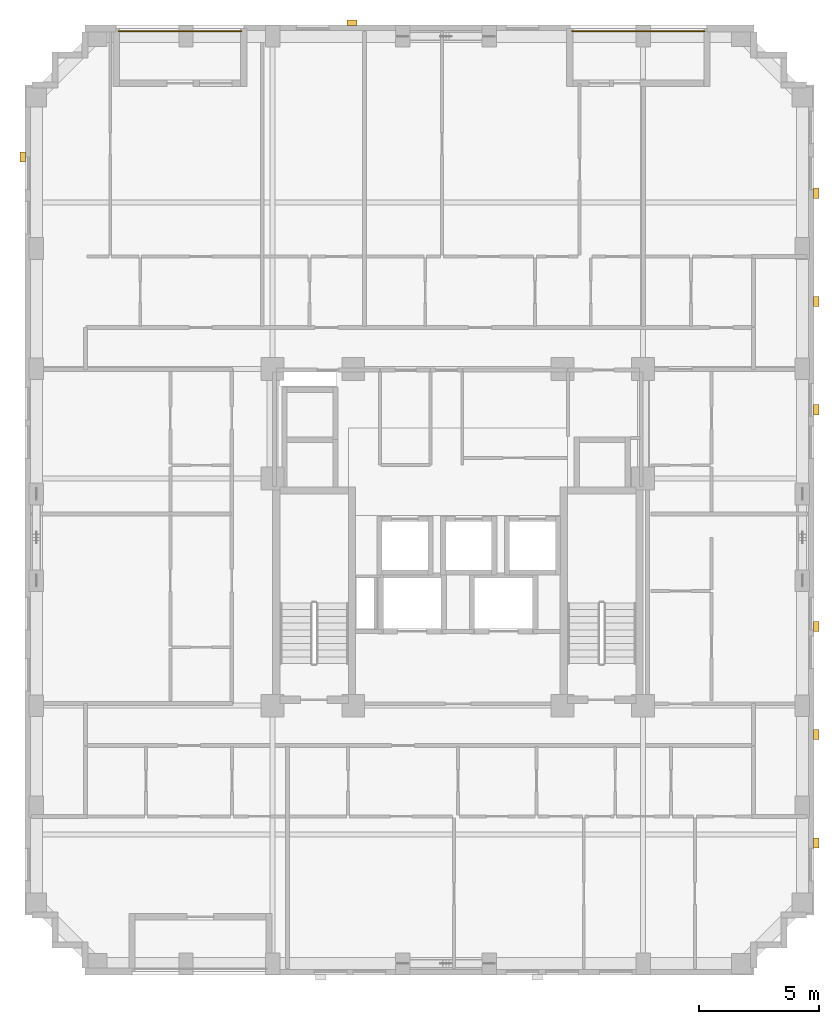
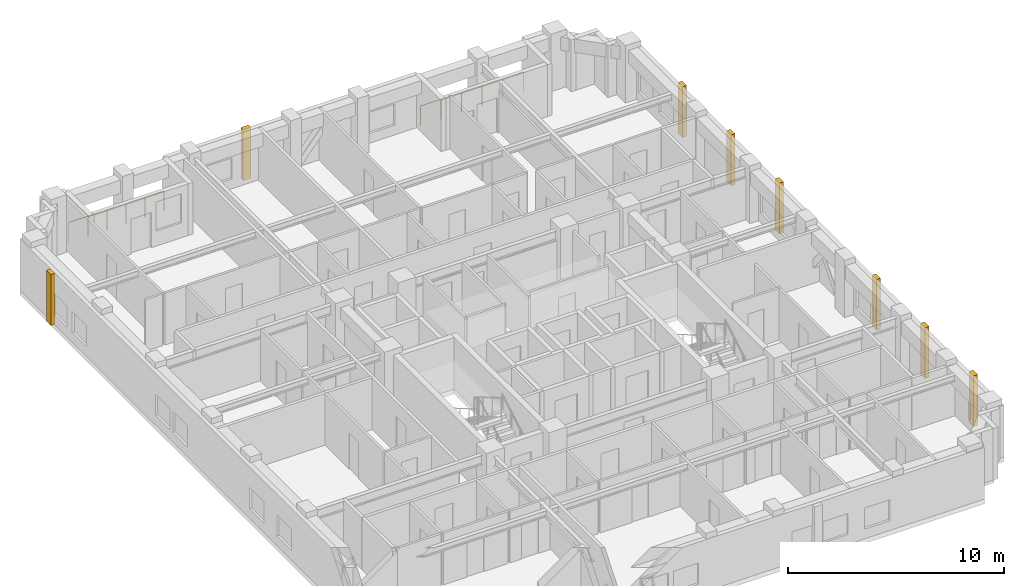
# One storey, part 11 of 11: 8 coverings, 2 railings.
"""IFC4 building model written with IfcOpenShell, lengths in metres."""

from ifc_helpers import new_model, si_unit, derived_unit, direction, frame, origin, origin_2d, place, context, subcontext, project, spatial, rectangle, circle, extrude, material, layer, layer_set, type_object, element, save


model = new_model("IFC4")

# Units and contexts
model_context = context("Model", 3, precision=1e-05, world=origin(), true_north=direction((0.0, 1.0)))
body_context = subcontext(model_context, "Body", "Model", "MODEL_VIEW")
ifc_project = project(units=[si_unit("LENGTHUNIT", "METRE"), si_unit("AREAUNIT", "SQUARE_METRE"), si_unit("VOLUMEUNIT", "CUBIC_METRE"), si_unit("PLANEANGLEUNIT", "RADIAN"), si_unit("MASSUNIT", "GRAM", prefix="KILO"), derived_unit("THERMALTRANSMITTANCEUNIT", [(si_unit("MASSUNIT", "GRAM", prefix="KILO"), 1), (si_unit("TIMEUNIT", "SECOND"), -3), (si_unit("THERMODYNAMICTEMPERATUREUNIT", "KELVIN"), -1)])], contexts=[model_context])

# Site, building, storey
site_placement = place(None, origin())
site = spatial("IfcSite", under=ifc_project, at=site_placement, CompositionType="ELEMENT")
building_placement = place(site_placement, origin())
building = spatial("IfcBuilding", under=site, at=building_placement, Name="Korrvale Station Residences", CompositionType="ELEMENT")
storey_placement = place(building_placement, frame((0.0, 0.0, 166.64990234375)))
storey = spatial("IfcBuildingStorey", under=building, at=storey_placement, Name="L48", CompositionType="ELEMENT", Elevation=166.64990234375)

# Coverings
ifc_material_1 = material(Name="Architectural precast concrete C45/55", Category="concrete")
ifc_layer = layer(ifc_material_1, 0.219970703125, Name="Architectural precast concrete C45/55")
ifc_layer_set = layer_set([ifc_layer], Name="Architectural precast concrete C45/55")
covering_type = type_object("IfcCoveringType", Name="COV-PIER-400", PredefinedType="CLADDING", material=ifc_layer_set)
for number, where, z_axis, x_axis, name in (
    (1, (21.10009765625, 43.389892578125, 0.025146484375), (0.0, 0.0, 1.0), (1.0, 0.0, 0.0), "L48 Architectural Precast Facade Pier 03"),
    (2, (7.409912109375, 37.800048828125, 0.025146484375), (0.0, 0.0, 1.0), (0.0, 1.0, 0.0), "L48 Architectural Precast Facade Pier 04"),
    (3, (40.389892578125, 36.300048828125, 0.025146484375), (0.0, 0.0, 1.0), (0.0, 1.0, 0.0), "L48 Architectural Precast Facade Pier 05"),
    (4, (40.389892578125, 31.800048828125, 0.025146484375), (0.0, 0.0, 1.0), (0.0, 1.0, 0.0), "L48 Architectural Precast Facade Pier 06"),
    (5, (40.389892578125, 27.300048828125, 0.025146484375), (0.0, 0.0, 1.0), (0.0, 1.0, 0.0), "L48 Architectural Precast Facade Pier 07"),
    (6, (40.389892578125, 18.300048828125, 0.025146484375), (0.0, 0.0, 1.0), (0.0, 1.0, 0.0), "L48 Architectural Precast Facade Pier 08"),
    (7, (40.389892578125, 13.800048828125, 0.025146484375), (0.0, 0.0, 1.0), (0.0, 1.0, 0.0), "L48 Architectural Precast Facade Pier 09"),
    (8, (40.389892578125, 9.300048828125, 0.025146484375), (0.0, 0.0, 1.0), (0.0, 1.0, 0.0), "L48 Architectural Precast Facade Pier 10"),
):
    element("IfcCovering", number, at=place(storey_placement, frame(where, z_axis=z_axis, x_axis=x_axis)), inside=storey, type_object=covering_type, Name=name, PredefinedType="CLADDING", context=body_context, shape_type="SweptSolid", body=[
        extrude(rectangle(XDim=0.419921875, YDim=0.219970703125, at=origin_2d()), origin(), (0.0, 0.0, 1.0), 2.8798828125),
    ])

# Railings
ifc_material_2 = material(Name="Powder-coated aluminium picket loggia guard", Category="aluminium")
railing_type = type_object("IfcRailingType", Name="RLG-BAL-1150", PredefinedType="GUARDRAIL", material=ifc_material_2)
railing_1_placement = place(storey_placement, frame((11.39990234375, 43.030029296875, 0.0)))
element("IfcRailing", 9, at=railing_1_placement, inside=storey, type_object=railing_type, Name="L48 Recessed Loggia Guardrail BAL-L48-N2", PredefinedType="GUARDRAIL", context=body_context, shape_type="SweptSolid", body=[
    extrude(circle(Radius=0.02392578125, at=origin_2d()), frame((0.0, 0.0, 1.1259765625), z_axis=(1.0, 0.0, 0.0), x_axis=(0.0, 1.0, 0.0)), (0.0, 0.0, 1.0), 5.10009765625),
    extrude(circle(Radius=0.02099609375, at=origin_2d()), origin(), (0.0, 0.0, 1.0), 1.101806640625),
    extrude(circle(Radius=0.02099609375, at=origin_2d()), frame((1.02001953125, 0.0, 0.0)), (0.0, 0.0, 1.0), 1.101806640625),
    extrude(circle(Radius=0.02099609375, at=origin_2d()), frame((2.0400390625, 0.0, 0.0)), (0.0, 0.0, 1.0), 1.101806640625),
    extrude(circle(Radius=0.02099609375, at=origin_2d()), frame((3.06005859375, 0.0, 0.0)), (0.0, 0.0, 1.0), 1.101806640625),
    extrude(circle(Radius=0.02099609375, at=origin_2d()), frame((4.080078125, 0.0, 0.0)), (0.0, 0.0, 1.0), 1.101806640625),
    extrude(circle(Radius=0.02099609375, at=origin_2d()), frame((5.10009765625, 0.0, 0.0)), (0.0, 0.0, 1.0), 1.101806640625),
])
railing_2_placement = place(storey_placement, frame((30.25, 43.030029296875, 0.0)))
element("IfcRailing", 10, at=railing_2_placement, inside=storey, type_object=railing_type, Name="L48 Recessed Loggia Guardrail BAL-L48-N1", PredefinedType="GUARDRAIL", context=body_context, shape_type="SweptSolid", body=[
    extrude(circle(Radius=0.02392578125, at=origin_2d()), frame((0.0, 0.0, 1.1259765625), z_axis=(1.0, 0.0, 0.0), x_axis=(0.0, 1.0, 0.0)), (0.0, 0.0, 1.0), 5.5),
    extrude(circle(Radius=0.02099609375, at=origin_2d()), origin(), (0.0, 0.0, 1.0), 1.101806640625),
    extrude(circle(Radius=0.02099609375, at=origin_2d()), frame((1.10009765625, 0.0, 0.0)), (0.0, 0.0, 1.0), 1.101806640625),
    extrude(circle(Radius=0.02099609375, at=origin_2d()), frame((2.199951171875, 0.0, 0.0)), (0.0, 0.0, 1.0), 1.101806640625),
    extrude(circle(Radius=0.02099609375, at=origin_2d()), frame((3.300048828125, 0.0, 0.0)), (0.0, 0.0, 1.0), 1.101806640625),
    extrude(circle(Radius=0.02099609375, at=origin_2d()), frame((4.39990234375, 0.0, 0.0)), (0.0, 0.0, 1.0), 1.101806640625),
    extrude(circle(Radius=0.02099609375, at=origin_2d()), frame((5.5, 0.0, 0.0)), (0.0, 0.0, 1.0), 1.101806640625),
])

save(model, "model.ifc")
